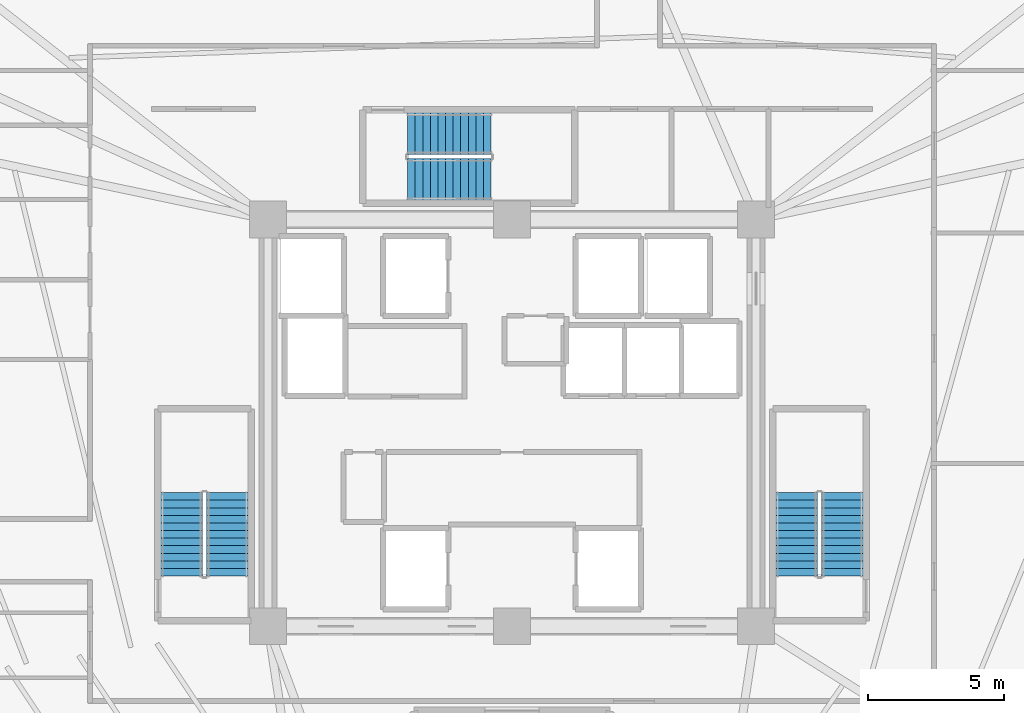
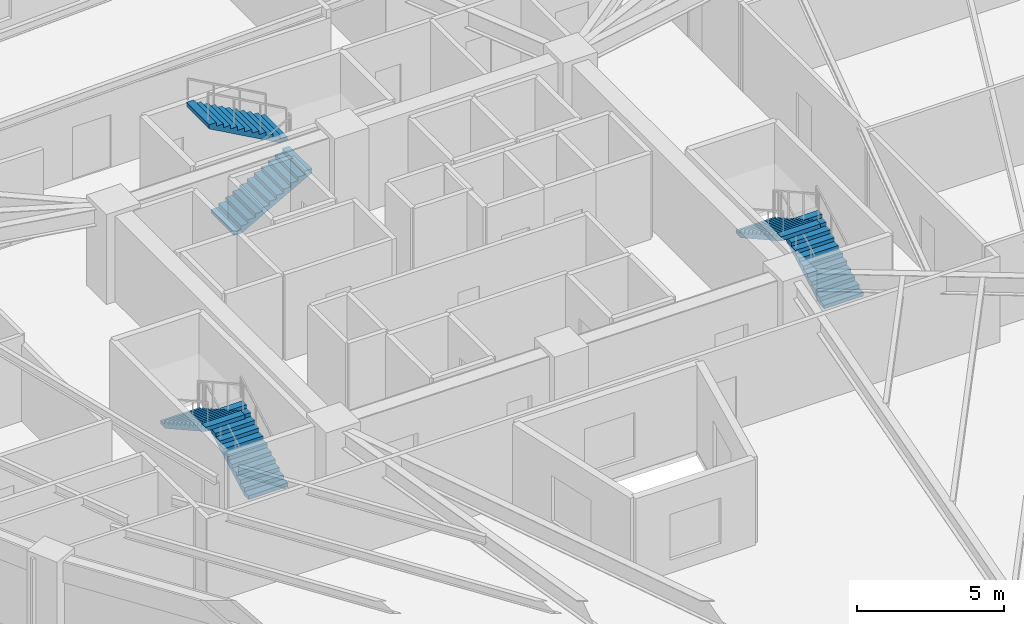
# One storey, part 7 of 8: 6 stair flights, 3 elements without a shape of their own.
"""IFC4 building model written with IfcOpenShell, lengths in metres."""

from ifc_helpers import new_model, si_unit, direction, frame, origin, place, context, subcontext, project, spatial, polyline, outline, extrude, material, type_object, element, aggregate, save


model = new_model("IFC4")

# Units and contexts
model_context = context("Model", 3, precision=1e-05, world=origin(), true_north=direction((0.0, 1.0)))
body_context = subcontext(model_context, "Body", "Model", "MODEL_VIEW")
ifc_project = project(units=[si_unit("LENGTHUNIT", "METRE"), si_unit("AREAUNIT", "SQUARE_METRE"), si_unit("VOLUMEUNIT", "CUBIC_METRE"), si_unit("PLANEANGLEUNIT", "RADIAN"), si_unit("MASSUNIT", "GRAM", prefix="KILO")], contexts=[model_context])

# Site, building, storey
site_placement = place(None, origin())
site = spatial("IfcSite", under=ifc_project, at=site_placement, CompositionType="ELEMENT")
building_placement = place(site_placement, origin())
building = spatial("IfcBuilding", under=site, at=building_placement, Name="Liaohun Quay Tower", CompositionType="ELEMENT")
storey_placement = place(building_placement, frame((0.0, 0.0, 266.25)))
storey = spatial("IfcBuildingStorey", under=building, at=storey_placement, Name="L69", CompositionType="ELEMENT", Elevation=266.25)

# Stair, stair flights
ifc_material = material(Name="Concrete C45", Category="concrete")
stair_type = type_object("IfcStairType", Name="STR-CORE-OFF", PredefinedType="HALF_TURN_STAIR", material=ifc_material)
stair_1_placement = place(storey_placement, origin())
stair_1 = element("IfcStair", 1, at=stair_1_placement, inside=storey, type_object=stair_type, Name="L69 Smokeproof Core Exit Stair ST-1", PredefinedType="HALF_TURN_STAIR")
stair_flight_type = type_object("IfcStairFlightType", Name="FLT-CORE-155", PredefinedType="STRAIGHT", material=ifc_material)
stair_flight_1_placement = place(storey_placement, frame((49.5048828125, 48.35009765625, 0.0), z_axis=(0.0, 0.0, 1.0), x_axis=(0.0, 1.0, 0.0)))
stair_flight_1 = element("IfcStairFlight", 2, at=stair_flight_1_placement, type_object=stair_flight_type, Name="ST-1 flight 1", NumberOfRisers=12, NumberOfTreads=11, PredefinedType="STRAIGHT", RiserHeight=0.15625, TreadLength=0.28, context=body_context, shape_type="SweptSolid", body=[
    extrude(outline(polyline([(0.0, 0.0), (0.0, 0.15625), (0.280029296875, 0.15625), (0.280029296875, 0.3125), (0.56005859375, 0.3125), (0.56005859375, 0.46875), (0.840087890625, 0.46875), (0.840087890625, 0.625), (1.1201171875, 0.625), (1.1201171875, 0.78125), (1.39990234375, 0.78125), (1.39990234375, 0.9375), (1.679931640625, 0.9375), (1.679931640625, 1.09375), (1.9599609375, 1.09375), (1.9599609375, 1.25), (2.239990234375, 1.25), (2.239990234375, 1.40625), (2.52001953125, 1.40625), (2.52001953125, 1.5625), (2.800048828125, 1.5625), (2.800048828125, 1.71875), (3.080078125, 1.71875), (3.080078125, 1.875), (3.080078125, 1.547119140625), (0.3076171875, 0.0), (0.0, 0.0)])), frame((0.0, 0.77490234375, 0.0), z_axis=(0.0, -1.0, 0.0), x_axis=(1.0, 0.0, 0.0)), (0.0, 0.0, 1.0), 1.550048828125),
])
stair_flight_2_placement = place(storey_placement, frame((47.81494140625, 51.429931640625, 1.875), z_axis=(0.0, 0.0, 1.0), x_axis=(0.0, -1.0, 0.0)))
stair_flight_2 = element("IfcStairFlight", 3, at=stair_flight_2_placement, type_object=stair_flight_type, Name="ST-1 flight 2", NumberOfRisers=12, NumberOfTreads=11, PredefinedType="STRAIGHT", RiserHeight=0.15625, TreadLength=0.28, context=body_context, shape_type="SweptSolid", body=[
    extrude(outline(polyline([(0.0, 0.0), (0.0, 0.15625), (0.280029296875, 0.15625), (0.280029296875, 0.3125), (0.56005859375, 0.3125), (0.56005859375, 0.46875), (0.840087890625, 0.46875), (0.840087890625, 0.625), (1.1201171875, 0.625), (1.1201171875, 0.78125), (1.39990234375, 0.78125), (1.39990234375, 0.9375), (1.679931640625, 0.9375), (1.679931640625, 1.09375), (1.9599609375, 1.09375), (1.9599609375, 1.25), (2.239990234375, 1.25), (2.239990234375, 1.40625), (2.52001953125, 1.40625), (2.52001953125, 1.5625), (2.800048828125, 1.5625), (2.800048828125, 1.71875), (3.080078125, 1.71875), (3.080078125, 1.875), (3.080078125, 1.547119140625), (0.3076171875, 0.0), (0.0, 0.0)])), frame((0.0, 0.77490234375, 0.0), z_axis=(0.0, -1.0, 0.0), x_axis=(1.0, 0.0, 0.0)), (0.0, 0.0, 1.0), 1.550048828125),
])
aggregate(stair_1, [stair_flight_1, stair_flight_2])

stair_2_placement = place(storey_placement, origin())
stair_2 = element("IfcStair", 4, at=stair_2_placement, inside=storey, type_object=stair_type, Name="L69 Smokeproof Core Exit Stair ST-2", PredefinedType="HALF_TURN_STAIR")
stair_flight_3_placement = place(storey_placement, frame((72.18505859375, 48.35009765625, 0.0), z_axis=(0.0, 0.0, 1.0), x_axis=(0.0, 1.0, 0.0)))
stair_flight_3 = element("IfcStairFlight", 5, at=stair_flight_3_placement, type_object=stair_flight_type, Name="ST-2 flight 1", NumberOfRisers=12, NumberOfTreads=11, PredefinedType="STRAIGHT", RiserHeight=0.15625, TreadLength=0.28, context=body_context, shape_type="SweptSolid", body=[
    extrude(outline(polyline([(0.0, 0.0), (0.0, 0.15625), (0.280029296875, 0.15625), (0.280029296875, 0.3125), (0.56005859375, 0.3125), (0.56005859375, 0.46875), (0.840087890625, 0.46875), (0.840087890625, 0.625), (1.1201171875, 0.625), (1.1201171875, 0.78125), (1.39990234375, 0.78125), (1.39990234375, 0.9375), (1.679931640625, 0.9375), (1.679931640625, 1.09375), (1.9599609375, 1.09375), (1.9599609375, 1.25), (2.239990234375, 1.25), (2.239990234375, 1.40625), (2.52001953125, 1.40625), (2.52001953125, 1.5625), (2.800048828125, 1.5625), (2.800048828125, 1.71875), (3.080078125, 1.71875), (3.080078125, 1.875), (3.080078125, 1.547119140625), (0.3076171875, 0.0), (0.0, 0.0)])), frame((0.0, 0.77490234375, 0.0), z_axis=(0.0, -1.0, 0.0), x_axis=(1.0, 0.0, 0.0)), (0.0, 0.0, 1.0), 1.550048828125),
])
stair_flight_4_placement = place(storey_placement, frame((70.4951171875, 51.429931640625, 1.875), z_axis=(0.0, 0.0, 1.0), x_axis=(0.0, -1.0, 0.0)))
stair_flight_4 = element("IfcStairFlight", 6, at=stair_flight_4_placement, type_object=stair_flight_type, Name="ST-2 flight 2", NumberOfRisers=12, NumberOfTreads=11, PredefinedType="STRAIGHT", RiserHeight=0.15625, TreadLength=0.28, context=body_context, shape_type="SweptSolid", body=[
    extrude(outline(polyline([(0.0, 0.0), (0.0, 0.15625), (0.280029296875, 0.15625), (0.280029296875, 0.3125), (0.56005859375, 0.3125), (0.56005859375, 0.46875), (0.840087890625, 0.46875), (0.840087890625, 0.625), (1.1201171875, 0.625), (1.1201171875, 0.78125), (1.39990234375, 0.78125), (1.39990234375, 0.9375), (1.679931640625, 0.9375), (1.679931640625, 1.09375), (1.9599609375, 1.09375), (1.9599609375, 1.25), (2.239990234375, 1.25), (2.239990234375, 1.40625), (2.52001953125, 1.40625), (2.52001953125, 1.5625), (2.800048828125, 1.5625), (2.800048828125, 1.71875), (3.080078125, 1.71875), (3.080078125, 1.875), (3.080078125, 1.547119140625), (0.3076171875, 0.0), (0.0, 0.0)])), frame((0.0, 0.77490234375, 0.0), z_axis=(0.0, -1.0, 0.0), x_axis=(1.0, 0.0, 0.0)), (0.0, 0.0, 1.0), 1.550048828125),
])
aggregate(stair_2, [stair_flight_3, stair_flight_4])

stair_3_placement = place(storey_placement, origin())
stair_3 = element("IfcStair", 7, at=stair_3_placement, inside=storey, type_object=stair_type, Name="L69 Smokeproof Core Exit Stair ST-3", PredefinedType="HALF_TURN_STAIR")
stair_flight_5_placement = place(storey_placement, frame((56.14990234375, 62.97509765625, 0.0), z_axis=(0.0, 0.0, 1.0), x_axis=(1.0, 0.0, 0.0)))
stair_flight_5 = element("IfcStairFlight", 8, at=stair_flight_5_placement, type_object=stair_flight_type, Name="ST-3 flight 1", NumberOfRisers=12, NumberOfTreads=11, PredefinedType="STRAIGHT", RiserHeight=0.15625, TreadLength=0.28, context=body_context, shape_type="SweptSolid", body=[
    extrude(outline(polyline([(0.0, 0.0), (0.0, 0.15625), (0.280029296875, 0.15625), (0.280029296875, 0.3125), (0.56005859375, 0.3125), (0.56005859375, 0.46875), (0.840087890625, 0.46875), (0.840087890625, 0.625), (1.1201171875, 0.625), (1.1201171875, 0.78125), (1.39990234375, 0.78125), (1.39990234375, 0.9375), (1.679931640625, 0.9375), (1.679931640625, 1.09375), (1.9599609375, 1.09375), (1.9599609375, 1.25), (2.239990234375, 1.25), (2.239990234375, 1.40625), (2.52001953125, 1.40625), (2.52001953125, 1.5625), (2.800048828125, 1.5625), (2.800048828125, 1.71875), (3.080078125, 1.71875), (3.080078125, 1.875), (3.080078125, 1.547119140625), (0.3076171875, 0.0), (0.0, 0.0)])), frame((0.0, 0.77490234375, 0.0), z_axis=(0.0, -1.0, 0.0), x_axis=(1.0, 0.0, 0.0)), (0.0, 0.0, 1.0), 1.550048828125),
])
stair_flight_6_placement = place(storey_placement, frame((59.22998046875, 64.6650390625, 1.875), z_axis=(0.0, 0.0, 1.0), x_axis=(-1.0, 0.0, 0.0)))
stair_flight_6 = element("IfcStairFlight", 9, at=stair_flight_6_placement, type_object=stair_flight_type, Name="ST-3 flight 2", NumberOfRisers=12, NumberOfTreads=11, PredefinedType="STRAIGHT", RiserHeight=0.15625, TreadLength=0.28, context=body_context, shape_type="SweptSolid", body=[
    extrude(outline(polyline([(0.0, 0.0), (0.0, 0.15625), (0.280029296875, 0.15625), (0.280029296875, 0.3125), (0.56005859375, 0.3125), (0.56005859375, 0.46875), (0.840087890625, 0.46875), (0.840087890625, 0.625), (1.1201171875, 0.625), (1.1201171875, 0.78125), (1.39990234375, 0.78125), (1.39990234375, 0.9375), (1.679931640625, 0.9375), (1.679931640625, 1.09375), (1.9599609375, 1.09375), (1.9599609375, 1.25), (2.239990234375, 1.25), (2.239990234375, 1.40625), (2.52001953125, 1.40625), (2.52001953125, 1.5625), (2.800048828125, 1.5625), (2.800048828125, 1.71875), (3.080078125, 1.71875), (3.080078125, 1.875), (3.080078125, 1.547119140625), (0.3076171875, 0.0), (0.0, 0.0)])), frame((0.0, 0.77490234375, 0.0), z_axis=(0.0, -1.0, 0.0), x_axis=(1.0, 0.0, 0.0)), (0.0, 0.0, 1.0), 1.550048828125),
])
aggregate(stair_3, [stair_flight_5, stair_flight_6])

save(model, "model.ifc")
